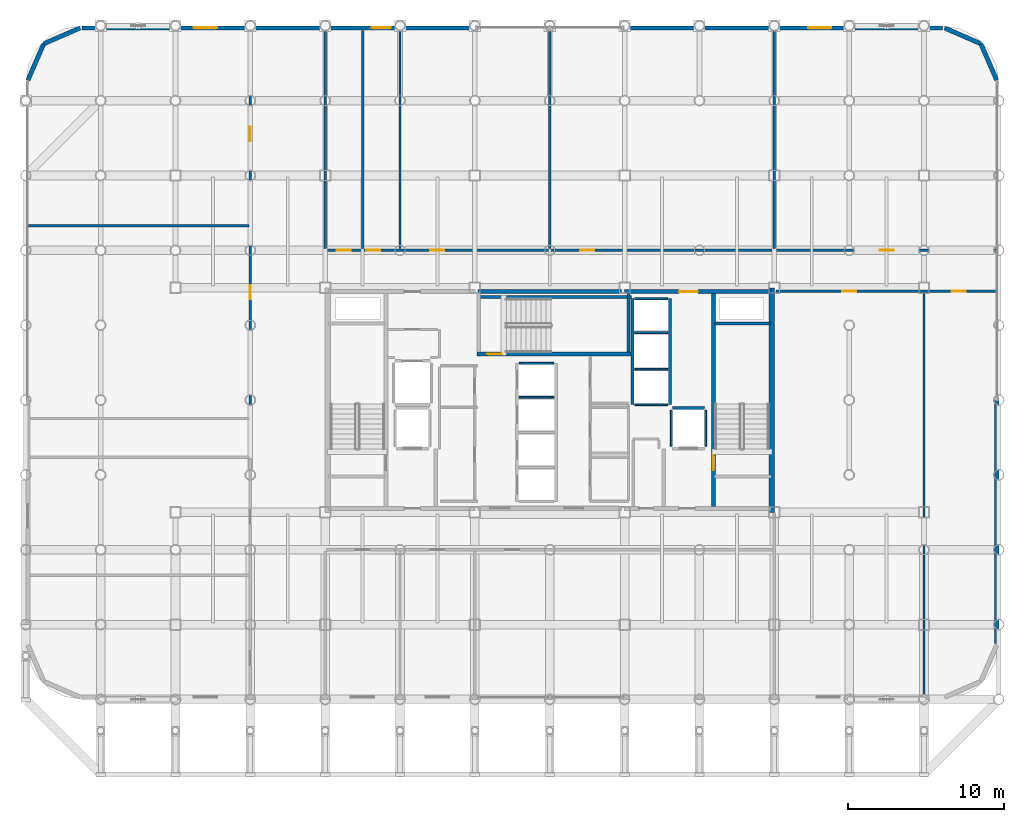
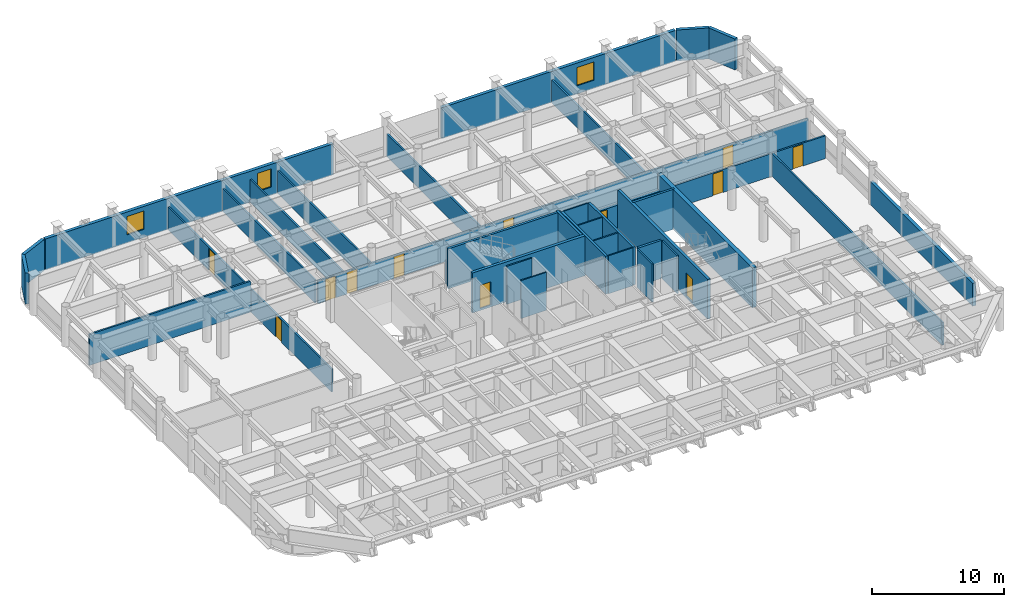
# One storey, part 22 of 24: 36 walls, 12 doors, 3 windows, 15 openings.
"""IFC4 building model written with IfcOpenShell, lengths in metres."""

from ifc_helpers import new_model, si_unit, direction, frame, frame_2d, origin, place, context, subcontext, project, spatial, rectangle, extrude, material, layer, layer_set, type_object, element, fill, save


model = new_model("IFC4")

# Units and contexts
model_context = context("Model", 3, precision=1e-05, world=origin(), true_north=direction((0.0, 1.0)))
body_context = subcontext(model_context, "Body", "Model", "MODEL_VIEW")
ifc_project = project(units=[si_unit("LENGTHUNIT", "METRE"), si_unit("AREAUNIT", "SQUARE_METRE"), si_unit("VOLUMEUNIT", "CUBIC_METRE"), si_unit("PLANEANGLEUNIT", "RADIAN"), si_unit("MASSUNIT", "GRAM", prefix="KILO")], contexts=[model_context])

# Site, building, storey
site_placement = place(None, origin())
site = spatial("IfcSite", under=ifc_project, at=site_placement, CompositionType="ELEMENT")
building_placement = place(site_placement, origin())
building = spatial("IfcBuilding", under=site, at=building_placement, Name="Kallvorn Hotel Tower", CompositionType="ELEMENT")
storey_placement = place(building_placement, frame((0.0, 0.0, 150.699951171875)))
storey = spatial("IfcBuildingStorey", under=building, at=storey_placement, Name="L37", CompositionType="ELEMENT", Elevation=150.699951171875)

# Walls
ifc_material_1 = material(Name="Concrete C50/60", Category="concrete")
ifc_layer_1 = layer(ifc_material_1, 0.35009765625)
ifc_layer_set_1 = layer_set([ifc_layer_1], Name="WL_CORE_350")
wall_type_1 = type_object("IfcWallType", Name="WL_CORE_350", PredefinedType="SHEAR", material=ifc_layer_set_1)
wall_1_placement = place(storey_placement, frame((14.239990234375, -7.199951171875, -0.179931640625), z_axis=(0.0, 0.0, 1.0), x_axis=(0.0, 1.0, 0.0)))
element("IfcWall", 1, at=wall_1_placement, inside=storey, type_object=wall_type_1, Name="L37 Core East Shear Wall", PredefinedType="SHEAR", context=body_context, shape_type="SweptSolid", body=[
    extrude(rectangle(XDim=14.39990234375, YDim=0.35009765625, at=frame_2d((7.199951171875, 0.0))), origin(), (0.0, 0.0, 1.0), 3.699951171875),
])
ifc_material_2 = material(Name="Precast basalt-clad insulated concrete wall C40/50", Category="masonry")
ifc_layer_2 = layer(ifc_material_2, 0.280029296875)
ifc_layer_set_2 = layer_set([ifc_layer_2], Name="WL_EXT_LOGGIA_280")
wall_type_2 = type_object("IfcWallType", Name="WL_EXT_LOGGIA_280", PredefinedType="SOLIDWALL", material=ifc_layer_set_2)
wall_2_placement = place(storey_placement, frame((28.657958984375, 20.520751953125, 0.0), z_axis=(0.0, 0.0, 1.0), x_axis=(-0.398792985289, 0.917040977756, 0.0)))
element("IfcWall", 2, at=wall_2_placement, inside=storey, type_object=wall_type_2, Name="L37 Rounded Corner Exterior Wall NE1", PredefinedType="SOLIDWALL", context=body_context, shape_type="SweptSolid", body=[
    extrude(rectangle(XDim=2.536376953125, YDim=0.280029296875, at=frame_2d((1.26806640625, 0.0))), origin(), (0.0, 0.0, 1.0), 2.8701171875),
])
for number, where, z_axis, x_axis, name in (
    (3, (27.646484375, 22.8466796875, 0.0), (0.0, 0.0, 1.0), (-0.917060872934, 0.398747232384, 0.0), "L37 Rounded Corner Exterior Wall NE2"),
    (4, (-30.120849609375, 23.85791015625, 0.0), (0.0, 0.0, 1.0), (-0.917060872934, -0.398747232384, 0.0), "L37 Rounded Corner Exterior Wall NW1"),
):
    element("IfcWall", number, at=place(storey_placement, frame(where, z_axis=z_axis, x_axis=x_axis)), inside=storey, type_object=wall_type_2, Name=name, PredefinedType="SOLIDWALL", context=body_context, shape_type="SweptSolid", body=[
        extrude(rectangle(XDim=2.5361328125, YDim=0.280029296875, at=frame_2d((1.26806640625, 0.0))), origin(), (0.0, 0.0, 1.0), 2.8701171875),
    ])
wall_3_placement = place(storey_placement, frame((-32.446533203125, 22.8466796875, 0.0), z_axis=(0.0, 0.0, 1.0), x_axis=(-0.398792985289, -0.917040977756, 0.0)))
element("IfcWall", 5, at=wall_3_placement, inside=storey, type_object=wall_type_2, Name="L37 Rounded Corner Exterior Wall NW2", PredefinedType="SOLIDWALL", context=body_context, shape_type="SweptSolid", body=[
    extrude(rectangle(XDim=2.536376953125, YDim=0.280029296875, at=frame_2d((1.26806640625, 0.0))), origin(), (0.0, 0.0, 1.0), 2.8701171875),
])

# Wall, openings, windows
wall_4_placement = place(storey_placement, frame((-30.0, 23.860107421875, 0.0), z_axis=(0.0, 0.0, 1.0), x_axis=(1.0, 0.0, 0.0)))
wall_4 = element("IfcWall", 6, at=wall_4_placement, inside=storey, type_object=wall_type_2, Name="L37 Exterior Envelope Wall EW-L37-NW", PredefinedType="SOLIDWALL", context=body_context, shape_type="SweptSolid", body=[
    extrude(rectangle(XDim=25.25, YDim=0.280029296875, at=frame_2d((12.625, 0.0))), origin(), (0.0, 0.0, 1.0), 2.8701171875),
])
opening_1_placement = place(wall_4_placement, frame((7.1630859375, 0.0, 0.75)))
opening_1 = element("IfcOpeningElement", 7, at=opening_1_placement, cuts=wall_4, Name="Opening W05", PredefinedType="OPENING", context=body_context, shape_type="SweptSolid", body=[
    extrude(rectangle(XDim=1.5, YDim=1.699951171875, at=frame_2d((0.75, 0.85009765625))), frame((0.0, 0.155029296875, 0.0), z_axis=(0.0, -1.0, 0.0), x_axis=(1.0, 0.0, 0.0)), (0.0, 0.0, 1.0), 0.31005859375),
])
opening_2_placement = place(wall_4_placement, frame((18.60009765625, 0.0, 0.75)))
opening_2 = element("IfcOpeningElement", 8, at=opening_2_placement, cuts=wall_4, Name="Opening W06", PredefinedType="OPENING", context=body_context, shape_type="SweptSolid", body=[
    extrude(rectangle(XDim=1.199951171875, YDim=1.699951171875, at=frame_2d((0.60009765625, 0.85009765625))), frame((0.0, 0.155029296875, 0.0), z_axis=(0.0, -1.0, 0.0), x_axis=(1.0, 0.0, 0.0)), (0.0, 0.0, 1.0), 0.31005859375),
])
ifc_material_3 = material(Name="Triple-glazed low-e acoustic solar-control dark glass", Category="glass")
window_type_1 = type_object("IfcWindowType", Name="WN_HTL_1200x1700", PartitioningType="SINGLE_PANEL", PredefinedType="WINDOW", material=ifc_material_3)
window_1_placement = place(opening_2_placement, origin())
window_1 = element("IfcWindow", 9, at=window_1_placement, inside=storey, type_object=window_type_1, Name="L37 Guestroom Exterior Window 08", OverallHeight=1.699951171875, OverallWidth=1.199951171875, PartitioningType="SINGLE_PANEL", PredefinedType="WINDOW", context=body_context, shape_type="SweptSolid", body=[
    extrude(rectangle(XDim=1.199951171875, YDim=1.699951171875, at=frame_2d((0.60009765625, 0.85009765625))), frame((0.0, 0.030029296875, 0.0), z_axis=(0.0, -1.0, 0.0), x_axis=(1.0, 0.0, 0.0)), (0.0, 0.0, 1.0), 0.06005859375),
])
fill(opening_2, window_1)
ifc_material_4 = material(Name="Double-glazed low-e solar-control dark glass", Category="glass")
window_type_2 = type_object("IfcWindowType", Name="WN_HTL_1500x1700", PartitioningType="SINGLE_PANEL", PredefinedType="WINDOW", material=ifc_material_4)
window_2_placement = place(opening_1_placement, origin())
window_2 = element("IfcWindow", 10, at=window_2_placement, inside=storey, type_object=window_type_2, Name="L37 Guestroom Exterior Window 03", OverallHeight=1.699951171875, OverallWidth=1.5, PartitioningType="SINGLE_PANEL", PredefinedType="WINDOW", context=body_context, shape_type="SweptSolid", body=[
    extrude(rectangle(XDim=1.5, YDim=1.699951171875, at=frame_2d((0.75, 0.85009765625))), frame((0.0, 0.030029296875, 0.0), z_axis=(0.0, -1.0, 0.0), x_axis=(1.0, 0.0, 0.0)), (0.0, 0.0, 1.0), 0.06005859375),
])
fill(opening_1, window_2)

# Wall, opening, window
wall_5_placement = place(storey_placement, frame((4.75, 23.860107421875, 0.0), z_axis=(0.0, 0.0, 1.0), x_axis=(1.0, 0.0, 0.0)))
wall_5 = element("IfcWall", 11, at=wall_5_placement, inside=storey, type_object=wall_type_2, Name="L37 Exterior Envelope Wall EW-L37-NE", PredefinedType="SOLIDWALL", context=body_context, shape_type="SweptSolid", body=[
    extrude(rectangle(XDim=20.449951171875, YDim=0.280029296875, at=frame_2d((10.22509765625, 0.0))), origin(), (0.0, 0.0, 1.0), 2.8701171875),
])
opening_3_placement = place(wall_5_placement, frame((11.81689453125, 0.0, 0.75)))
opening_3 = element("IfcOpeningElement", 12, at=opening_3_placement, cuts=wall_5, Name="Opening W05", PredefinedType="OPENING", context=body_context, shape_type="SweptSolid", body=[
    extrude(rectangle(XDim=1.5, YDim=1.699951171875, at=frame_2d((0.75, 0.85009765625))), frame((0.0, 0.155029296875, 0.0), z_axis=(0.0, -1.0, 0.0), x_axis=(1.0, 0.0, 0.0)), (0.0, 0.0, 1.0), 0.31005859375),
])
window_3_placement = place(opening_3_placement, origin())
window_3 = element("IfcWindow", 13, at=window_3_placement, inside=storey, type_object=window_type_2, Name="L37 Guestroom Exterior Window 04", OverallHeight=1.699951171875, OverallWidth=1.5, PartitioningType="SINGLE_PANEL", PredefinedType="WINDOW", context=body_context, shape_type="SweptSolid", body=[
    extrude(rectangle(XDim=1.5, YDim=1.699951171875, at=frame_2d((0.75, 0.85009765625))), frame((0.0, 0.030029296875, 0.0), z_axis=(0.0, -1.0, 0.0), x_axis=(1.0, 0.0, 0.0)), (0.0, 0.0, 1.0), 0.06005859375),
])
fill(opening_3, window_3)

# Walls
wall_6_placement = place(storey_placement, frame((28.659912109375, -15.60009765625, 0.0), z_axis=(0.0, 0.0, 1.0), x_axis=(0.0, 1.0, 0.0)))
element("IfcWall", 14, at=wall_6_placement, inside=storey, type_object=wall_type_2, Name="L37 Exterior Envelope Wall EW-L37-ES", PredefinedType="SOLIDWALL", context=body_context, shape_type="SweptSolid", body=[
    extrude(rectangle(XDim=15.580078125, YDim=0.280029296875, at=frame_2d((7.7900390625, 0.0))), origin(), (0.0, 0.0, 1.0), 2.1201171875),
])
ifc_material_5 = material(Name="Concrete C40/50", Category="concrete")
ifc_layer_3 = layer(ifc_material_5, 0.199951171875)
ifc_layer_set_3 = layer_set([ifc_layer_3], Name="WL_HOIST_200")
wall_type_3 = type_object("IfcWallType", Name="WL_HOIST_200", PredefinedType="SOLIDWALL", material=ifc_layer_set_3)
wall_7_placement = place(storey_placement, frame((10.550048828125, 4.89990234375, -0.179931640625), z_axis=(0.0, 0.0, 1.0), x_axis=(1.0, 0.0, 0.0)))
element("IfcWall", 15, at=wall_7_placement, inside=storey, type_object=wall_type_3, Name="L37 Stair ST2 North Wall", PredefinedType="SOLIDWALL", context=body_context, shape_type="SweptSolid", body=[
    extrude(rectangle(XDim=3.64990234375, YDim=0.199951171875, at=frame_2d((1.824951171875, 0.0))), origin(), (0.0, 0.0, 1.0), 3.699951171875),
])
wall_8_placement = place(storey_placement, frame((-4.64990234375, 6.610107421875, -0.179931640625), z_axis=(0.0, 0.0, 1.0), x_axis=(1.0, 0.0, 0.0)))
element("IfcWall", 16, at=wall_8_placement, inside=storey, type_object=wall_type_3, Name="L37 Stair ST3 Shaft North Wall", PredefinedType="SOLIDWALL", context=body_context, shape_type="SweptSolid", body=[
    extrude(rectangle(XDim=9.89990234375, YDim=0.199951171875, at=frame_2d((4.949951171875, 0.0))), origin(), (0.0, 0.0, 1.0), 3.699951171875),
])
wall_9_placement = place(storey_placement, frame((5.06005859375, 3.080078125, -0.179931640625), z_axis=(0.0, 0.0, 1.0), x_axis=(0.0, 1.0, 0.0)))
element("IfcWall", 17, at=wall_9_placement, inside=storey, type_object=wall_type_3, Name="L37 Stair ST3 East Wall", PredefinedType="SOLIDWALL", context=body_context, shape_type="SweptSolid", body=[
    extrude(rectangle(XDim=3.739990234375, YDim=0.199951171875, at=frame_2d((1.8701171875, 0.0))), origin(), (0.0, 0.0, 1.0), 3.699951171875),
])
for number, where, z_axis, x_axis, name in (
    (18, (7.699951171875, -0.300048828125, 0.0), (0.0, 0.0, 1.0), (0.0, 1.0, 0.0), "L37 Lift Bank OBS Landing Wall"),
    (19, (5.300048828125, -0.300048828125, 0.0), (0.0, 0.0, 1.0), (0.0, 1.0, 0.0), "L37 Lift Bank OBS Rear Shaft Wall"),
):
    element("IfcWall", number, at=place(storey_placement, frame(where, z_axis=z_axis, x_axis=x_axis)), inside=storey, type_object=wall_type_3, Name=name, PredefinedType="SOLIDWALL", context=body_context, shape_type="SweptSolid", body=[
        extrude(rectangle(XDim=6.800048828125, YDim=0.199951171875, at=frame_2d((3.39990234375, 0.0))), origin(), (0.0, 0.0, 1.0), 3.52001953125),
    ])
wall_10_placement = place(storey_placement, frame((7.8798828125, -0.5, 0.0), z_axis=(0.0, 0.0, 1.0), x_axis=(1.0, 0.0, 0.0)))
element("IfcWall", 20, at=wall_10_placement, inside=storey, type_object=wall_type_3, Name="L37 FL-2 Rear Shaft Wall", PredefinedType="SOLIDWALL", context=body_context, shape_type="SweptSolid", body=[
    extrude(rectangle(XDim=2.0400390625, YDim=0.199951171875, at=frame_2d((1.02001953125, 0.0))), origin(), (0.0, 0.0, 1.0), 3.52001953125),
])
ifc_material_6 = material(Name="Fire-rated double-layer acoustic gypsum drywall EI 60")
ifc_layer_4 = layer(ifc_material_6, 0.1201171875)
ifc_layer_set_4 = layer_set([ifc_layer_4], Name="WL_INT_120")
wall_type_4 = type_object("IfcWallType", Name="WL_INT_120", PredefinedType="PARTITIONING", material=ifc_layer_set_4)
for number, where, z_axis, x_axis, name in (
    (21, (-1.9599609375, 0.175048828125, 0.0), (0.0, 0.0, 1.0), (1.0, 0.0, 0.0), "L37 PL-07 Hoistway Divider"),
    (22, (-1.9599609375, 2.35009765625, 0.0), (0.0, 0.0, 1.0), (1.0, 0.0, 0.0), "L37 PL-08 Hoistway Divider"),
):
    element("IfcWall", number, at=place(storey_placement, frame(where, z_axis=z_axis, x_axis=x_axis)), inside=storey, type_object=wall_type_4, Name=name, PredefinedType="PARTITIONING", context=body_context, shape_type="SweptSolid", body=[
        extrude(rectangle(XDim=2.219970703125, YDim=0.1201171875, at=frame_2d((1.10986328125, 0.0))), origin(), (0.0, 0.0, 1.0), 3.52001953125),
    ])
for number, where, z_axis, x_axis, name in (
    (23, (5.43994140625, -0.300048828125, 0.0), (0.0, 0.0, 1.0), (1.0, 0.0, 0.0), "L37 Lift Bank OBS South Closure Wall"),
    (24, (5.43994140625, 1.97509765625, 0.0), (0.0, 0.0, 1.0), (1.0, 0.0, 0.0), "L37 OB-01 Hoistway Divider"),
    (25, (5.43994140625, 4.324951171875, 0.0), (0.0, 0.0, 1.0), (1.0, 0.0, 0.0), "L37 OB-02 Hoistway Divider"),
    (26, (5.43994140625, 6.5, 0.0), (0.0, 0.0, 1.0), (1.0, 0.0, 0.0), "L37 OB-03 Hoistway Divider"),
):
    element("IfcWall", number, at=place(storey_placement, frame(where, z_axis=z_axis, x_axis=x_axis)), inside=storey, type_object=wall_type_4, Name=name, PredefinedType="PARTITIONING", context=body_context, shape_type="SweptSolid", body=[
        extrude(rectangle(XDim=2.1201171875, YDim=0.1201171875, at=frame_2d((1.06005859375, 0.0))), origin(), (0.0, 0.0, 1.0), 3.52001953125),
    ])
for number, where, z_axis, x_axis, name in (
    (27, (7.800048828125, -2.9599609375, 0.0), (0.0, 0.0, 1.0), (0.0, 1.0, 0.0), "L37 FL-2 West Shaft Wall"),
    (28, (10.0, -2.9599609375, 0.0), (0.0, 0.0, 1.0), (0.0, 1.0, 0.0), "L37 FL-2 East Shaft Wall"),
):
    element("IfcWall", number, at=place(storey_placement, frame(where, z_axis=z_axis, x_axis=x_axis)), inside=storey, type_object=wall_type_4, Name=name, PredefinedType="PARTITIONING", context=body_context, shape_type="SweptSolid", body=[
        extrude(rectangle(XDim=2.320068359375, YDim=0.1201171875, at=frame_2d((1.16015625, 0.0))), origin(), (0.0, 0.0, 1.0), 3.52001953125),
    ])

# Wall, openings, doors
ifc_material_7 = material(Name="Fire-rated double-layer acoustic gypsum drywall EI 60")
ifc_layer_5 = layer(ifc_material_7, 0.14990234375)
ifc_layer_set_5 = layer_set([ifc_layer_5], Name="WL_PART_150")
wall_type_5 = type_object("IfcWallType", Name="WL_PART_150", PredefinedType="PARTITIONING", material=ifc_layer_set_5)
wall_11_placement = place(storey_placement, frame((14.52001953125, 6.97998046875, 0.0), z_axis=(0.0, 0.0, 1.0), x_axis=(1.0, 0.0, 0.0)))
wall_11 = element("IfcWall", 29, at=wall_11_placement, inside=storey, type_object=wall_type_5, Name="L37 L37 South-East Cocktail Bar Partition", PredefinedType="PARTITIONING", context=body_context, shape_type="SweptSolid", body=[
    extrude(rectangle(XDim=14.10986328125, YDim=0.14990234375, at=frame_2d((7.054931640625, 0.0))), origin(), (0.0, 0.0, 1.0), 2.1201171875),
])
opening_4_placement = place(wall_11_placement, frame((4.22998046875, 0.0, 0.0)))
opening_4 = element("IfcOpeningElement", 30, at=opening_4_placement, cuts=wall_11, Name="Opening SVD1A", PredefinedType="OPENING", context=body_context, shape_type="SweptSolid", body=[
    extrude(rectangle(XDim=0.89990234375, YDim=2.02001953125, at=frame_2d((0.449951171875, 1.010009765625))), frame((0.0, 0.08984375, 0.0), z_axis=(0.0, -1.0, 0.0), x_axis=(1.0, 0.0, 0.0)), (0.0, 0.0, 1.0), 0.179931640625),
])
opening_5_placement = place(wall_11_placement, frame((11.2451171875, 0.0, 0.0)))
opening_5 = element("IfcOpeningElement", 31, at=opening_5_placement, cuts=wall_11, Name="Opening SVD1A", PredefinedType="OPENING", context=body_context, shape_type="SweptSolid", body=[
    extrude(rectangle(XDim=0.89990234375, YDim=2.02001953125, at=frame_2d((0.449951171875, 1.010009765625))), frame((0.0, 0.08984375, 0.0), z_axis=(0.0, -1.0, 0.0), x_axis=(1.0, 0.0, 0.0)), (0.0, 0.0, 1.0), 0.179931640625),
])
ifc_material_8 = material(Name="Galvanised painted steel fire-rated door assembly", Category="steel")
door_type_1 = type_object("IfcDoorType", Name="DR_SERV_900x2020", OperationType="NOTDEFINED", PredefinedType="DOOR", material=ifc_material_8)
door_1_placement = place(opening_4_placement, origin())
door_1 = element("IfcDoor", 32, at=door_1_placement, inside=storey, type_object=door_type_1, Name="L37 L37 South-East Cocktail Bar Door", OperationType="SINGLE_SWING_RIGHT", OverallHeight=2.02001953125, OverallWidth=0.89990234375, PredefinedType="DOOR", context=body_context, shape_type="SweptSolid", body=[
    extrude(rectangle(XDim=0.89990234375, YDim=2.02001953125, at=frame_2d((0.449951171875, 1.010009765625))), frame((0.0, 0.02490234375, 0.0), z_axis=(0.0, -1.0, 0.0), x_axis=(1.0, 0.0, 0.0)), (0.0, 0.0, 1.0), 0.050048828125),
])
fill(opening_4, door_1)
door_2_placement = place(opening_5_placement, origin())
door_2 = element("IfcDoor", 33, at=door_2_placement, inside=storey, type_object=door_type_1, Name="L37 L37 Far-East Design Boutique Door", OperationType="SINGLE_SWING_RIGHT", OverallHeight=2.02001953125, OverallWidth=0.89990234375, PredefinedType="DOOR", context=body_context, shape_type="SweptSolid", body=[
    extrude(rectangle(XDim=0.89990234375, YDim=2.02001953125, at=frame_2d((0.449951171875, 1.010009765625))), frame((0.0, 0.02490234375, 0.0), z_axis=(0.0, -1.0, 0.0), x_axis=(1.0, 0.0, 0.0)), (0.0, 0.0, 1.0), 0.050048828125),
])
fill(opening_5, door_2)

wall_12_placement = place(storey_placement, frame((-14.320068359375, 9.60009765625, 0.0), z_axis=(0.0, 0.0, 1.0), x_axis=(1.0, 0.0, 0.0)))
wall_12 = element("IfcWall", 34, at=wall_12_placement, inside=storey, type_object=wall_type_5, Name="L37 Housekeeping and Linen Room Partition", PredefinedType="PARTITIONING", context=body_context, shape_type="SweptSolid", body=[
    extrude(rectangle(XDim=42.949951171875, YDim=0.14990234375, at=frame_2d((21.47509765625, 0.0))), origin(), (0.0, 0.0, 1.0), 2.1201171875),
])
opening_6_placement = place(wall_12_placement, frame((35.469970703125, 0.0, 0.0)))
opening_6 = element("IfcOpeningElement", 35, at=opening_6_placement, cuts=wall_12, Name="Opening SVD1A", PredefinedType="OPENING", context=body_context, shape_type="SweptSolid", body=[
    extrude(rectangle(XDim=0.89990234375, YDim=2.02001953125, at=frame_2d((0.449951171875, 1.010009765625))), frame((0.0, 0.08984375, 0.0), z_axis=(0.0, -1.0, 0.0), x_axis=(1.0, 0.0, 0.0)), (0.0, 0.0, 1.0), 0.179931640625),
])
opening_7_placement = place(wall_12_placement, frame((0.669921875, 0.0, 0.0)))
opening_7 = element("IfcOpeningElement", 36, at=opening_7_placement, cuts=wall_12, Name="Opening SVD1A", PredefinedType="OPENING", context=body_context, shape_type="SweptSolid", body=[
    extrude(rectangle(XDim=0.89990234375, YDim=2.02001953125, at=frame_2d((0.449951171875, 1.010009765625))), frame((0.0, 0.08984375, 0.0), z_axis=(0.0, -1.0, 0.0), x_axis=(1.0, 0.0, 0.0)), (0.0, 0.0, 1.0), 0.179931640625),
])
opening_8_placement = place(wall_12_placement, frame((2.56005859375, 0.0, 0.0)))
opening_8 = element("IfcOpeningElement", 37, at=opening_8_placement, cuts=wall_12, Name="Opening SVD1A", PredefinedType="OPENING", context=body_context, shape_type="SweptSolid", body=[
    extrude(rectangle(XDim=0.89990234375, YDim=2.02001953125, at=frame_2d((0.449951171875, 1.010009765625))), frame((0.0, 0.08984375, 0.0), z_axis=(0.0, -1.0, 0.0), x_axis=(1.0, 0.0, 0.0)), (0.0, 0.0, 1.0), 0.179931640625),
])
opening_9_placement = place(wall_12_placement, frame((6.669921875, 0.0, 0.0)))
opening_9 = element("IfcOpeningElement", 38, at=opening_9_placement, cuts=wall_12, Name="Opening SVD1A", PredefinedType="OPENING", context=body_context, shape_type="SweptSolid", body=[
    extrude(rectangle(XDim=0.89990234375, YDim=2.02001953125, at=frame_2d((0.449951171875, 1.010009765625))), frame((0.0, 0.08984375, 0.0), z_axis=(0.0, -1.0, 0.0), x_axis=(1.0, 0.0, 0.0)), (0.0, 0.0, 1.0), 0.179931640625),
])
opening_10_placement = place(wall_12_placement, frame((16.27001953125, 0.0, 0.0)))
opening_10 = element("IfcOpeningElement", 39, at=opening_10_placement, cuts=wall_12, Name="Opening SVD1A", PredefinedType="OPENING", context=body_context, shape_type="SweptSolid", body=[
    extrude(rectangle(XDim=0.89990234375, YDim=2.02001953125, at=frame_2d((0.449951171875, 1.010009765625))), frame((0.0, 0.08984375, 0.0), z_axis=(0.0, -1.0, 0.0), x_axis=(1.0, 0.0, 0.0)), (0.0, 0.0, 1.0), 0.179931640625),
])
door_3_placement = place(opening_6_placement, origin())
door_3 = element("IfcDoor", 40, at=door_3_placement, inside=storey, type_object=door_type_1, Name="L37 L37 North-East Monserrate Banquet Hall Door", OperationType="SINGLE_SWING_RIGHT", OverallHeight=2.02001953125, OverallWidth=0.89990234375, PredefinedType="DOOR", context=body_context, shape_type="SweptSolid", body=[
    extrude(rectangle(XDim=0.89990234375, YDim=2.02001953125, at=frame_2d((0.449951171875, 1.010009765625))), frame((0.0, 0.02490234375, 0.0), z_axis=(0.0, -1.0, 0.0), x_axis=(1.0, 0.0, 0.0)), (0.0, 0.0, 1.0), 0.050048828125),
])
fill(opening_6, door_3)
door_4_placement = place(opening_7_placement, origin())
door_4 = element("IfcDoor", 41, at=door_4_placement, inside=storey, type_object=door_type_1, Name="L37 Housekeeping and Linen Room Door", OperationType="SINGLE_SWING_RIGHT", OverallHeight=2.02001953125, OverallWidth=0.89990234375, PredefinedType="DOOR", context=body_context, shape_type="SweptSolid", body=[
    extrude(rectangle(XDim=0.89990234375, YDim=2.02001953125, at=frame_2d((0.449951171875, 1.010009765625))), frame((0.0, 0.02490234375, 0.0), z_axis=(0.0, -1.0, 0.0), x_axis=(1.0, 0.0, 0.0)), (0.0, 0.0, 1.0), 0.050048828125),
])
fill(opening_7, door_4)
door_5_placement = place(opening_8_placement, origin())
door_5 = element("IfcDoor", 42, at=door_5_placement, inside=storey, type_object=door_type_1, Name="L37 Guest Tea and Refreshment Bar Door", OperationType="SINGLE_SWING_RIGHT", OverallHeight=2.02001953125, OverallWidth=0.89990234375, PredefinedType="DOOR", context=body_context, shape_type="SweptSolid", body=[
    extrude(rectangle(XDim=0.89990234375, YDim=2.02001953125, at=frame_2d((0.449951171875, 1.010009765625))), frame((0.0, 0.02490234375, 0.0), z_axis=(0.0, -1.0, 0.0), x_axis=(1.0, 0.0, 0.0)), (0.0, 0.0, 1.0), 0.050048828125),
])
fill(opening_8, door_5)
door_6_placement = place(opening_9_placement, origin())
door_6 = element("IfcDoor", 43, at=door_6_placement, inside=storey, type_object=door_type_1, Name="L37 L37 Haute Couture Design Retail Shop 2 Door", OperationType="SINGLE_SWING_LEFT", OverallHeight=2.02001953125, OverallWidth=0.89990234375, PredefinedType="DOOR", context=body_context, shape_type="SweptSolid", body=[
    extrude(rectangle(XDim=0.89990234375, YDim=2.02001953125, at=frame_2d((0.449951171875, 1.010009765625))), frame((0.0, 0.02490234375, 0.0), z_axis=(0.0, -1.0, 0.0), x_axis=(1.0, 0.0, 0.0)), (0.0, 0.0, 1.0), 0.050048828125),
])
fill(opening_9, door_6)
door_7_placement = place(opening_10_placement, origin())
door_7 = element("IfcDoor", 44, at=door_7_placement, inside=storey, type_object=door_type_1, Name="L37 L37 Panoramic Club Sky Lounge 3 Door", OperationType="SINGLE_SWING_LEFT", OverallHeight=2.02001953125, OverallWidth=0.89990234375, PredefinedType="DOOR", context=body_context, shape_type="SweptSolid", body=[
    extrude(rectangle(XDim=0.89990234375, YDim=2.02001953125, at=frame_2d((0.449951171875, 1.010009765625))), frame((0.0, 0.02490234375, 0.0), z_axis=(0.0, -1.0, 0.0), x_axis=(1.0, 0.0, 0.0)), (0.0, 0.0, 1.0), 0.050048828125),
])
fill(opening_10, door_7)

# Wall
wall_13_placement = place(storey_placement, frame((-33.429931640625, 11.18505859375, 0.0), z_axis=(0.0, 0.0, 1.0), x_axis=(1.0, 0.0, 0.0)))
element("IfcWall", 45, at=wall_13_placement, inside=storey, type_object=wall_type_5, Name="L37 L37 North-West Facade Fitness Gymnasium Partition", PredefinedType="PARTITIONING", context=body_context, shape_type="SweptSolid", body=[
    extrude(rectangle(XDim=14.14990234375, YDim=0.14990234375, at=frame_2d((7.074951171875, 0.0))), origin(), (0.0, 0.0, 1.0), 2.8701171875),
])

# Wall, openings, doors
wall_14_placement = place(storey_placement, frame((-19.199951171875, -1.094970703125, 0.0), z_axis=(0.0, 0.0, 1.0), x_axis=(0.0, 1.0, 0.0)))
wall_14 = element("IfcWall", 46, at=wall_14_placement, inside=storey, type_object=wall_type_5, Name="L37 L37 North-West Spine Pastry Cafe Partition", PredefinedType="PARTITIONING", context=body_context, shape_type="SweptSolid", body=[
    extrude(rectangle(XDim=24.804931640625, YDim=0.14990234375, at=frame_2d((12.40234375, 0.0))), origin(), (0.0, 0.0, 1.0), 2.1201171875),
])
opening_11_placement = place(wall_14_placement, frame((7.566162109375, 0.0, 0.0)))
opening_11 = element("IfcOpeningElement", 47, at=opening_11_placement, cuts=wall_14, Name="Opening SVD1A", PredefinedType="OPENING", context=body_context, shape_type="SweptSolid", body=[
    extrude(rectangle(XDim=0.89990234375, YDim=2.02001953125, at=frame_2d((0.449951171875, 1.010009765625))), frame((0.0, 0.08984375, 0.0), z_axis=(0.0, -1.0, 0.0), x_axis=(1.0, 0.0, 0.0)), (0.0, 0.0, 1.0), 0.179931640625),
])
opening_12_placement = place(wall_14_placement, frame((17.70361328125, 0.0, 0.0)))
opening_12 = element("IfcOpeningElement", 48, at=opening_12_placement, cuts=wall_14, Name="Opening SVD1A", PredefinedType="OPENING", context=body_context, shape_type="SweptSolid", body=[
    extrude(rectangle(XDim=0.89990234375, YDim=2.02001953125, at=frame_2d((0.449951171875, 1.010009765625))), frame((0.0, 0.08984375, 0.0), z_axis=(0.0, -1.0, 0.0), x_axis=(1.0, 0.0, 0.0)), (0.0, 0.0, 1.0), 0.179931640625),
])
door_8_placement = place(opening_11_placement, origin())
door_8 = element("IfcDoor", 49, at=door_8_placement, inside=storey, type_object=door_type_1, Name="L37 L37 North-West Spine Pastry Cafe Door", OperationType="SINGLE_SWING_RIGHT", OverallHeight=2.02001953125, OverallWidth=0.89990234375, PredefinedType="DOOR", context=body_context, shape_type="SweptSolid", body=[
    extrude(rectangle(XDim=0.89990234375, YDim=2.02001953125, at=frame_2d((0.449951171875, 1.010009765625))), frame((0.0, 0.02490234375, 0.0), z_axis=(0.0, -1.0, 0.0), x_axis=(1.0, 0.0, 0.0)), (0.0, 0.0, 1.0), 0.050048828125),
])
fill(opening_11, door_8)
door_9_placement = place(opening_12_placement, origin())
door_9 = element("IfcDoor", 50, at=door_9_placement, inside=storey, type_object=door_type_1, Name="L37 L37 North-West Facade Fitness Gymnasium Door", OperationType="SINGLE_SWING_RIGHT", OverallHeight=2.02001953125, OverallWidth=0.89990234375, PredefinedType="DOOR", context=body_context, shape_type="SweptSolid", body=[
    extrude(rectangle(XDim=0.89990234375, YDim=2.02001953125, at=frame_2d((0.449951171875, 1.010009765625))), frame((0.0, 0.02490234375, 0.0), z_axis=(0.0, -1.0, 0.0), x_axis=(1.0, 0.0, 0.0)), (0.0, 0.0, 1.0), 0.050048828125),
])
fill(opening_12, door_9)

# Walls
for number, where, z_axis, x_axis, name in (
    (51, (-14.39990234375, 9.719970703125, 0.0), (0.0, 0.0, 1.0), (0.0, 1.0, 0.0), "L37 Housekeeping and Linen Room Partition"),
    (52, (-12.0, 9.719970703125, 0.0), (0.0, 0.0, 1.0), (0.0, 1.0, 0.0), "L37 Guest Tea and Refreshment Bar Partition"),
    (53, (-9.60009765625, 9.719970703125, 0.0), (0.0, 0.0, 1.0), (0.0, 1.0, 0.0), "L37 Guest Tea and Refreshment Bar Partition"),
):
    element("IfcWall", number, at=place(storey_placement, frame(where, z_axis=z_axis, x_axis=x_axis)), inside=storey, type_object=wall_type_5, Name=name, PredefinedType="PARTITIONING", context=body_context, shape_type="SweptSolid", body=[
        extrude(rectangle(XDim=13.989990234375, YDim=0.14990234375, at=frame_2d((6.9951171875, 0.0))), origin(), (0.0, 0.0, 1.0), 2.1201171875),
    ])
wall_15_placement = place(storey_placement, frame((0.0, 9.719970703125, 0.0), z_axis=(0.0, 0.0, 1.0), x_axis=(0.0, 1.0, 0.0)))
element("IfcWall", 54, at=wall_15_placement, inside=storey, type_object=wall_type_5, Name="L37 L37 Haute Couture Design Retail Shop 2 Partition", PredefinedType="PARTITIONING", context=body_context, shape_type="SweptSolid", body=[
    extrude(rectangle(XDim=14.074951171875, YDim=0.14990234375, at=frame_2d((7.03759765625, 0.0))), origin(), (0.0, 0.0, 1.0), 2.1201171875),
])
wall_16_placement = place(storey_placement, frame((14.39990234375, 9.719970703125, 0.0), z_axis=(0.0, 0.0, 1.0), x_axis=(0.0, 1.0, 0.0)))
element("IfcWall", 55, at=wall_16_placement, inside=storey, type_object=wall_type_5, Name="L37 L37 North-East Monserrate Banquet Hall Partition", PredefinedType="PARTITIONING", context=body_context, shape_type="SweptSolid", body=[
    extrude(rectangle(XDim=13.989990234375, YDim=0.14990234375, at=frame_2d((6.9951171875, 0.0))), origin(), (0.0, 0.0, 1.0), 2.1201171875),
])
wall_17_placement = place(storey_placement, frame((24.0, -18.909912109375, 0.0), z_axis=(0.0, 0.0, 1.0), x_axis=(0.0, 1.0, 0.0)))
element("IfcWall", 56, at=wall_17_placement, inside=storey, type_object=wall_type_5, Name="L37 L37 Far-East Design Boutique Partition", PredefinedType="PARTITIONING", context=body_context, shape_type="SweptSolid", body=[
    extrude(rectangle(XDim=25.804931640625, YDim=0.14990234375, at=frame_2d((12.90234375, 0.0))), origin(), (0.0, 0.0, 1.0), 2.1201171875),
])
ifc_material_9 = material(Name="Concrete C40/50", Category="concrete")
ifc_layer_6 = layer(ifc_material_9, 0.25)
ifc_layer_set_6 = layer_set([ifc_layer_6], Name="WL_SHAFT_250")
wall_type_6 = type_object("IfcWallType", Name="WL_SHAFT_250", PredefinedType="SOLIDWALL", material=ifc_layer_set_6)
wall_18_placement = place(storey_placement, frame((-4.60009765625, 6.949951171875, 0.0), z_axis=(0.0, 0.0, 1.0), x_axis=(1.0, 0.0, 0.0)))
element("IfcWall", 57, at=wall_18_placement, inside=storey, type_object=wall_type_6, Name="L37 Core North-Central Wall", PredefinedType="SOLIDWALL", context=body_context, shape_type="SweptSolid", body=[
    extrude(rectangle(XDim=9.2001953125, YDim=0.25, at=frame_2d((4.60009765625, 0.0))), origin(), (0.0, 0.0, 1.0), 2.1201171875),
])

# Wall, opening, door
wall_19_placement = place(storey_placement, frame((4.800048828125, 6.949951171875, 0.0), z_axis=(0.0, 0.0, 1.0), x_axis=(1.0, 0.0, 0.0)))
wall_19 = element("IfcWall", 58, at=wall_19_placement, inside=storey, type_object=wall_type_6, Name="L37 Core North-East Wall", PredefinedType="SOLIDWALL", context=body_context, shape_type="SweptSolid", body=[
    extrude(rectangle(XDim=9.39990234375, YDim=0.25, at=frame_2d((4.699951171875, 0.0))), origin(), (0.0, 0.0, 1.0), 2.1201171875),
])
opening_13_placement = place(wall_19_placement, frame((3.5, 0.0, 0.0)))
opening_13 = element("IfcOpeningElement", 59, at=opening_13_placement, cuts=wall_19, Name="Opening FD2A", PredefinedType="OPENING", context=body_context, shape_type="SweptSolid", body=[
    extrude(rectangle(XDim=1.199951171875, YDim=2.02001953125, at=frame_2d((0.60009765625, 1.010009765625))), frame((0.0, 0.139892578125, 0.0), z_axis=(0.0, -1.0, 0.0), x_axis=(1.0, 0.0, 0.0)), (0.0, 0.0, 1.0), 0.280029296875),
])
ifc_material_10 = material(Name="Galvanised painted steel fire-rated door assembly", Category="steel")
door_type_2 = type_object("IfcDoorType", Name="DR_LOBBY_1200x2020", OperationType="DOUBLE_DOOR_SINGLE_SWING", PredefinedType="DOOR", material=ifc_material_10)
door_10_placement = place(opening_13_placement, origin())
door_10 = element("IfcDoor", 60, at=door_10_placement, inside=storey, type_object=door_type_2, Name="L37 Observatory Shuttle Lobby Door", OperationType="DOUBLE_DOOR_SINGLE_SWING", OverallHeight=2.02001953125, OverallWidth=1.199951171875, PredefinedType="DOOR", context=body_context, shape_type="SweptSolid", body=[
    extrude(rectangle(XDim=1.199951171875, YDim=2.02001953125, at=frame_2d((0.60009765625, 1.010009765625))), frame((0.0, 0.02490234375, 0.0), z_axis=(0.0, -1.0, 0.0), x_axis=(1.0, 0.0, 0.0)), (0.0, 0.0, 1.0), 0.050048828125),
])
fill(opening_13, door_10)

wall_20_placement = place(storey_placement, frame((10.5, -6.820068359375, -0.179931640625), z_axis=(0.0, 0.0, 1.0), x_axis=(0.0, 1.0, 0.0)))
wall_20 = element("IfcWall", 61, at=wall_20_placement, inside=storey, type_object=wall_type_6, Name="L37 Stair ST2 Shaft Wall", PredefinedType="SOLIDWALL", context=body_context, shape_type="SweptSolid", body=[
    extrude(rectangle(XDim=13.64013671875, YDim=0.25, at=frame_2d((6.820068359375, 0.0))), origin(), (0.0, 0.0, 1.0), 3.699951171875),
])
opening_14_placement = place(wall_20_placement, frame((2.320068359375, 0.0, 0.179931640625)))
opening_14 = element("IfcOpeningElement", 62, at=opening_14_placement, cuts=wall_20, Name="Opening SD1", PredefinedType="OPENING", context=body_context, shape_type="SweptSolid", body=[
    extrude(rectangle(XDim=0.949951171875, YDim=2.14990234375, at=frame_2d((0.47509765625, 1.074951171875))), frame((0.0, 0.139892578125, 0.0), z_axis=(0.0, -1.0, 0.0), x_axis=(1.0, 0.0, 0.0)), (0.0, 0.0, 1.0), 0.280029296875),
])
ifc_material_11 = material(Name="Galvanised painted steel fire-rated door assembly", Category="steel")
door_type_3 = type_object("IfcDoorType", Name="DR_STAIR_950x2150", OperationType="NOTDEFINED", PredefinedType="DOOR", material=ifc_material_11)
door_11_placement = place(opening_14_placement, origin())
door_11 = element("IfcDoor", 63, at=door_11_placement, inside=storey, type_object=door_type_3, Name="L37 Exit Stair ST2 Fire Door", OperationType="SINGLE_SWING_RIGHT", OverallHeight=2.14990234375, OverallWidth=0.949951171875, PredefinedType="DOOR", context=body_context, shape_type="SweptSolid", body=[
    extrude(rectangle(XDim=0.949951171875, YDim=2.14990234375, at=frame_2d((0.47509765625, 1.074951171875))), frame((0.0, 0.02490234375, 0.0), z_axis=(0.0, -1.0, 0.0), x_axis=(1.0, 0.0, 0.0)), (0.0, 0.0, 1.0), 0.050048828125),
])
fill(opening_14, door_11)

wall_21_placement = place(storey_placement, frame((-4.64990234375, 2.949951171875, -0.179931640625), z_axis=(0.0, 0.0, 1.0), x_axis=(1.0, 0.0, 0.0)))
wall_21 = element("IfcWall", 64, at=wall_21_placement, inside=storey, type_object=wall_type_6, Name="L37 Stair ST3 Shaft South Wall", PredefinedType="SOLIDWALL", context=body_context, shape_type="SweptSolid", body=[
    extrude(rectangle(XDim=9.89990234375, YDim=0.25, at=frame_2d((4.949951171875, 0.0))), origin(), (0.0, 0.0, 1.0), 3.699951171875),
])
opening_15_placement = place(wall_21_placement, frame((0.64990234375, 0.0, 0.179931640625)))
opening_15 = element("IfcOpeningElement", 65, at=opening_15_placement, cuts=wall_21, Name="Opening SD1", PredefinedType="OPENING", context=body_context, shape_type="SweptSolid", body=[
    extrude(rectangle(XDim=0.949951171875, YDim=2.14990234375, at=frame_2d((0.47509765625, 1.074951171875))), frame((0.0, 0.139892578125, 0.0), z_axis=(0.0, -1.0, 0.0), x_axis=(1.0, 0.0, 0.0)), (0.0, 0.0, 1.0), 0.280029296875),
])
door_12_placement = place(opening_15_placement, origin())
door_12 = element("IfcDoor", 66, at=door_12_placement, inside=storey, type_object=door_type_3, Name="L37 Exit Stair ST3 Fire Door", OperationType="SINGLE_SWING_RIGHT", OverallHeight=2.14990234375, OverallWidth=0.949951171875, PredefinedType="DOOR", context=body_context, shape_type="SweptSolid", body=[
    extrude(rectangle(XDim=0.949951171875, YDim=2.14990234375, at=frame_2d((0.47509765625, 1.074951171875))), frame((0.0, 0.02490234375, 0.0), z_axis=(0.0, -1.0, 0.0), x_axis=(1.0, 0.0, 0.0)), (0.0, 0.0, 1.0), 0.050048828125),
])
fill(opening_15, door_12)

save(model, "model.ifc")
